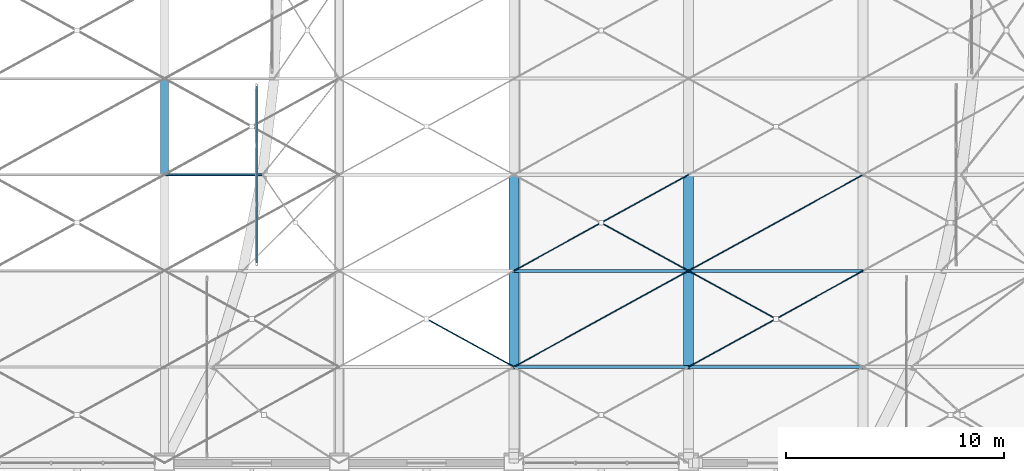
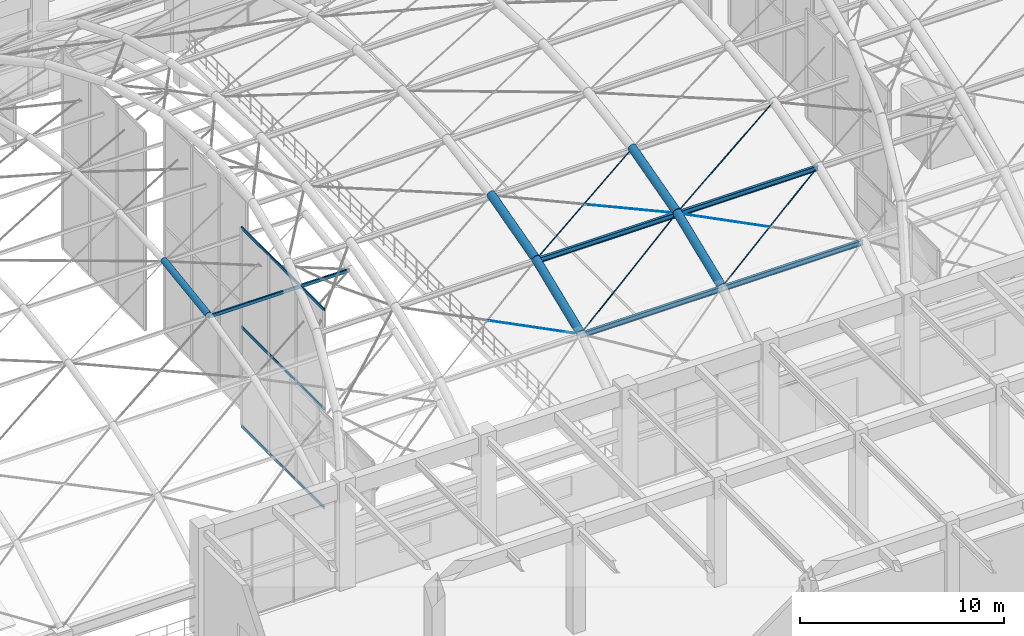
# One storey, part 23 of 163: 10 beams, 10 members, 1 element without a shape of its own.
"""IFC4 building model written with IfcOpenShell, lengths in metres."""

from ifc_helpers import new_model, si_unit, direction, frame, origin, origin_2d, place, context, subcontext, project, spatial, hollow_rectangle, circle, hollow_circle, i_section, extrude, material, material_profile, profile_set, type_object, element, aggregate, save


model = new_model("IFC4")

# Units and contexts
model_context = context("Model", 3, precision=1e-05, world=origin(), true_north=direction((0.0, 1.0)))
body_context = subcontext(model_context, "Body", "Model", "MODEL_VIEW")
ifc_project = project(units=[si_unit("LENGTHUNIT", "METRE"), si_unit("AREAUNIT", "SQUARE_METRE"), si_unit("VOLUMEUNIT", "CUBIC_METRE"), si_unit("PLANEANGLEUNIT", "RADIAN"), si_unit("MASSUNIT", "GRAM", prefix="KILO")], contexts=[model_context])

# Site, building, storey
site_placement = place(None, origin())
site = spatial("IfcSite", under=ifc_project, at=site_placement, CompositionType="ELEMENT")
building_placement = place(site_placement, origin())
building = spatial("IfcBuilding", under=site, at=building_placement, Name="Varnabhumi Central Station", CompositionType="ELEMENT")
storey_placement = place(building_placement, frame((0.0, 0.0, 9.60009765625)))
storey = spatial("IfcBuildingStorey", under=building, at=storey_placement, Name="L02", CompositionType="ELEMENT", Elevation=9.60009765625)

# Beams
ifc_material_1 = material(Name="Structural steel E350", Category="steel")
ifc_material_profile_1 = material_profile(ifc_material_1, hollow_circle(Radius=0.177734375, WallThickness=0.012451171875, at=origin_2d()), Name="Structural steel E350", Category="steel")
ifc_profile_set_1 = profile_set([ifc_material_profile_1], Name="Structural steel E350")
beam_type_1 = type_object("IfcBeamType", Name="BM-ARCH-CHS355", PredefinedType="BEAM", material=ifc_profile_set_1)
beam_1_placement = place(storey_placement, frame((40.0, 49.199951171875, 8.182373046875), z_axis=(0.0, 0.99037356126, 0.138420407303), x_axis=(-1.0, 0.0, 0.0)))
element("IfcBeam", 1, at=beam_1_placement, inside=storey, type_object=beam_type_1, Name="Entrance Portico Vault Arch Rib 4 Seg 4", PredefinedType="BEAM", context=body_context, shape_type="SweptSolid", body=[
    extrude(hollow_circle(Radius=0.177734375, WallThickness=0.012451171875, at=origin_2d()), origin(), (0.0, 0.0, 1.0), 4.44287109375),
])
ifc_material_2 = material(Name="Structural steel E450", Category="steel")
ifc_material_profile_2 = material_profile(ifc_material_2, hollow_circle(Radius=0.228515625, WallThickness=0.01611328125, at=origin_2d()), Name="Structural steel E450", Category="steel")
ifc_profile_set_2 = profile_set([ifc_material_profile_2], Name="Structural steel E450")
beam_type_2 = type_object("IfcBeamType", Name="BM-ARCH-CHS457", PredefinedType="BEAM", material=ifc_profile_set_2)
beam_2_placement = place(storey_placement, frame((56.0, 40.39990234375, 6.844970703125), z_axis=(0.0, 0.926804098242, 0.37554515505), x_axis=(-1.0, 0.0, 0.0)))
element("IfcBeam", 2, at=beam_2_placement, inside=storey, type_object=beam_type_2, Name="Ticket Hall Vault Arch Rib 3 Seg 2", PredefinedType="BEAM", context=body_context, shape_type="SweptSolid", body=[
    extrude(hollow_circle(Radius=0.228515625, WallThickness=0.01611328125, at=origin_2d()), origin(), (0.0, 0.0, 1.0), 4.74755859375),
])
beam_3_placement = place(storey_placement, frame((56.0, 44.800048828125, 8.6279296875), z_axis=(0.0, 0.965022848722, 0.262165789998), x_axis=(-1.0, 0.0, 0.0)))
element("IfcBeam", 3, at=beam_3_placement, inside=storey, type_object=beam_type_2, Name="Ticket Hall Vault Arch Rib 3 Seg 3", PredefinedType="BEAM", context=body_context, shape_type="SweptSolid", body=[
    extrude(hollow_circle(Radius=0.228515625, WallThickness=0.01611328125, at=origin_2d()), origin(), (0.0, 0.0, 1.0), 4.559326171875),
])
beam_4_placement = place(storey_placement, frame((64.0, 40.39990234375, 6.844970703125), z_axis=(0.0, 0.926804098242, 0.37554515505), x_axis=(-1.0, 0.0, 0.0)))
element("IfcBeam", 4, at=beam_4_placement, inside=storey, type_object=beam_type_2, Name="Ticket Hall Vault Arch Rib 4 Seg 2", PredefinedType="BEAM", context=body_context, shape_type="SweptSolid", body=[
    extrude(hollow_circle(Radius=0.228515625, WallThickness=0.01611328125, at=origin_2d()), origin(), (0.0, 0.0, 1.0), 4.74755859375),
])
beam_5_placement = place(storey_placement, frame((64.0, 44.800048828125, 8.6279296875), z_axis=(0.0, 0.965022848722, 0.262165789998), x_axis=(-1.0, 0.0, 0.0)))
element("IfcBeam", 5, at=beam_5_placement, inside=storey, type_object=beam_type_2, Name="Ticket Hall Vault Arch Rib 4 Seg 3", PredefinedType="BEAM", context=body_context, shape_type="SweptSolid", body=[
    extrude(hollow_circle(Radius=0.228515625, WallThickness=0.01611328125, at=origin_2d()), origin(), (0.0, 0.0, 1.0), 4.559326171875),
])
ifc_material_profile_3 = material_profile(ifc_material_1, i_section(OverallWidth=0.139892578125, OverallDepth=0.300048828125, WebThickness=0.0078125, FlangeThickness=0.01318359375, FilletRadius=0.013916015625, at=origin_2d()), Name="Structural steel E350", Category="steel")
ifc_profile_set_3 = profile_set([ifc_material_profile_3], Name="Structural steel E350")
beam_type_3 = type_object("IfcBeamType", Name="BM-PUR-ISMB300", PredefinedType="LINTEL", material=ifc_profile_set_3)
for number, where, z_axis, x_axis, name in (
    (6, (56.0, 40.39990234375, 6.695068359375), (1.0, 0.0, 0.0), (0.0, 1.0, 0.0), "Ticket Hall Vault Purlin B3-L1"),
    (7, (56.0, 44.800048828125, 8.477783203125), (1.0, 0.0, 0.0), (0.0, 1.0, 0.0), "Ticket Hall Vault Purlin B3-L2"),
    (8, (64.0, 40.39990234375, 6.695068359375), (1.0, 0.0, 0.0), (0.0, 1.0, 0.0), "Ticket Hall Vault Purlin B4-L1"),
    (9, (64.0, 44.800048828125, 8.477783203125), (1.0, 0.0, 0.0), (0.0, 1.0, 0.0), "Ticket Hall Vault Purlin B4-L2"),
):
    element("IfcBeam", number, at=place(storey_placement, frame(where, z_axis=z_axis, x_axis=x_axis)), inside=storey, type_object=beam_type_3, Name=name, PredefinedType="LINTEL", context=body_context, shape_type="SweptSolid", body=[
        extrude(i_section(OverallWidth=0.139892578125, OverallDepth=0.300048828125, WebThickness=0.0078125, FlangeThickness=0.01318359375, FilletRadius=0.013916015625, at=origin_2d()), origin(), (0.0, 0.0, 1.0), 8.0),
    ])
ifc_material_profile_4 = material_profile(ifc_material_1, hollow_rectangle(XDim=0.10009765625, YDim=0.199951171875, WallThickness=0.008056640625, InnerFilletRadius=0.008056640625, OuterFilletRadius=0.01611328125, at=origin_2d()), Name="Structural steel E350", Category="steel")
ifc_profile_set_4 = profile_set([ifc_material_profile_4], Name="Structural steel E350")
beam_type_4 = type_object("IfcBeamType", Name="BM-PUR-RHS200", PredefinedType="JOIST", material=ifc_profile_set_4)
beam_6_placement = place(storey_placement, frame((40.0, 49.199951171875, 8.082275390625), z_axis=(1.0, 0.0, 0.0), x_axis=(0.0, 1.0, 0.0)))
element("IfcBeam", 10, at=beam_6_placement, inside=storey, type_object=beam_type_4, Name="Entrance Portico Vault Purlin B4-L3", PredefinedType="JOIST", context=body_context, shape_type="SweptSolid", body=[
    extrude(hollow_rectangle(XDim=0.10009765625, YDim=0.199951171875, WallThickness=0.008056640625, InnerFilletRadius=0.008056640625, OuterFilletRadius=0.01611328125, at=origin_2d()), origin(), (0.0, 0.0, 1.0), 8.0),
])

# Curtain wall, members
ifc_material_3 = material(Name="Anodised aluminium 6063-T6", Category="aluminium")
curtain_wall_type = type_object("IfcCurtainWallType", Name="CW-VAULT-ARCH-V3", PredefinedType="NOTDEFINED", material=ifc_material_3)
curtain_wall_placement = place(storey_placement, origin())
curtain_wall = element("IfcCurtainWall", 11, at=curtain_wall_placement, inside=storey, type_object=curtain_wall_type, Name="Curtain Wall CW-V32", PredefinedType="NOTDEFINED")
ifc_material_profile_5 = material_profile(ifc_material_3, hollow_rectangle(XDim=0.06494140625, YDim=0.179931640625, WallThickness=0.00390625, InnerFilletRadius=0.001953125, OuterFilletRadius=0.006103515625, at=origin_2d()), Name="Anodised aluminium 6063-T6", Category="aluminium")
ifc_profile_set_5 = profile_set([ifc_material_profile_5], Name="Anodised aluminium 6063-T6")
member_type_1 = type_object("IfcMemberType", Name="CW-TR-180", PredefinedType="USERDEFINED", material=ifc_profile_set_5)
member_1_placement = place(storey_placement, frame((44.22412109375, 45.14990234375, -2.400146484375), z_axis=(0.0, 1.0, 0.0), x_axis=(-1.0, 0.0, 0.0)))
member_1 = element("IfcMember", 12, at=member_1_placement, type_object=member_type_1, Name="Curtain Wall Transom CW-V32-T1", ObjectType="TRANSOM", PredefinedType="USERDEFINED", context=body_context, shape_type="SweptSolid", body=[
    extrude(hollow_rectangle(XDim=0.06494140625, YDim=0.179931640625, WallThickness=0.00390625, InnerFilletRadius=0.001953125, OuterFilletRadius=0.006103515625, at=origin_2d()), origin(), (0.0, 0.0, 1.0), 8.10009765625),
])
member_2_placement = place(storey_placement, frame((44.22412109375, 45.14990234375, 3.53662109375), z_axis=(0.0, 1.0, 0.0), x_axis=(-1.0, 0.0, 0.0)))
member_2 = element("IfcMember", 13, at=member_2_placement, type_object=member_type_1, Name="Curtain Wall Transom CW-V32-T2", ObjectType="TRANSOM", PredefinedType="USERDEFINED", context=body_context, shape_type="SweptSolid", body=[
    extrude(hollow_rectangle(XDim=0.06494140625, YDim=0.179931640625, WallThickness=0.00390625, InnerFilletRadius=0.001953125, OuterFilletRadius=0.006103515625, at=origin_2d()), origin(), (0.0, 0.0, 1.0), 8.10009765625),
])
member_3_placement = place(storey_placement, frame((44.22412109375, 45.14990234375, 9.473388671875), z_axis=(0.0, 1.0, 0.0), x_axis=(-1.0, 0.0, 0.0)))
member_3 = element("IfcMember", 14, at=member_3_placement, type_object=member_type_1, Name="Curtain Wall Transom CW-V32-T3", ObjectType="TRANSOM", PredefinedType="USERDEFINED", context=body_context, shape_type="SweptSolid", body=[
    extrude(hollow_rectangle(XDim=0.06494140625, YDim=0.179931640625, WallThickness=0.00390625, InnerFilletRadius=0.001953125, OuterFilletRadius=0.006103515625, at=origin_2d()), origin(), (0.0, 0.0, 1.0), 8.10009765625),
])
aggregate(curtain_wall, [member_1, member_2, member_3])

# Members
ifc_material_4 = material(Name="Spiral-strand steel S1570", Category="steel")
ifc_material_profile_6 = material_profile(ifc_material_4, circle(Radius=0.02099609375, at=origin_2d()), Name="Spiral-strand steel S1570", Category="steel")
ifc_profile_set_6 = profile_set([ifc_material_profile_6], Name="Spiral-strand steel S1570")
member_type_2 = type_object("IfcMemberType", Name="MBR-CABLE-D42", PredefinedType="USERDEFINED", material=ifc_profile_set_6)
member_4_placement = place(storey_placement, frame((52.0, 42.60009765625, 7.656494140625), z_axis=(0.859950363032, -0.473014689432, -0.191683271838), x_axis=(0.481951596342, 0.876197842262, 0.0)))
element("IfcMember", 15, at=member_4_placement, inside=storey, type_object=member_type_2, Name="Ticket Hall Vault Cable-Net Split Tie B2-P2B2", ObjectType="TENSION CABLE", PredefinedType="USERDEFINED", context=body_context, shape_type="SweptSolid", body=[
    extrude(circle(Radius=0.02099609375, at=origin_2d()), origin(), (0.0, 0.0, 1.0), 4.6513671875),
])
member_5_placement = place(storey_placement, frame((56.0, 40.39990234375, 6.764892578125), z_axis=(0.859965363866, 0.472996696562, 0.19166037147), x_axis=(-0.481931067474, 0.876209133828, 0.0)))
element("IfcMember", 16, at=member_5_placement, inside=storey, type_object=member_type_2, Name="Ticket Hall Vault Cable-Net Tie B3-P2A", ObjectType="TENSION CABLE", PredefinedType="USERDEFINED", context=body_context, shape_type="SweptSolid", body=[
    extrude(circle(Radius=0.02099609375, at=origin_2d()), origin(), (0.0, 0.0, 1.0), 9.302734375),
])
member_6_placement = place(storey_placement, frame((56.0, 44.800048828125, 8.5478515625), z_axis=(0.868803417008, 0.477831273844, 0.129837961825), x_axis=(-0.481910537812, 0.876220425204, 0.0)))
element("IfcMember", 17, at=member_6_placement, inside=storey, type_object=member_type_2, Name="Ticket Hall Vault Cable-Net Tie B3-P3A", ObjectType="TENSION CABLE", PredefinedType="USERDEFINED", context=body_context, shape_type="SweptSolid", body=[
    extrude(circle(Radius=0.02099609375, at=origin_2d()), origin(), (0.0, 0.0, 1.0), 9.2080078125),
])
member_7_placement = place(storey_placement, frame((60.0, 47.0, 9.1455078125), z_axis=(0.86880640757, -0.477832918616, -0.129811894881), x_axis=(0.481910537812, 0.876220425204, 0.0)))
element("IfcMember", 18, at=member_7_placement, inside=storey, type_object=member_type_2, Name="Ticket Hall Vault Cable-Net Split Tie B3-P3B2", ObjectType="TENSION CABLE", PredefinedType="USERDEFINED", context=body_context, shape_type="SweptSolid", body=[
    extrude(circle(Radius=0.02099609375, at=origin_2d()), origin(), (0.0, 0.0, 1.0), 4.60400390625),
])
member_8_placement = place(storey_placement, frame((64.0, 40.39990234375, 6.764892578125), z_axis=(0.859965363866, 0.472996696562, 0.19166037147), x_axis=(-0.481931067474, 0.876209133828, 0.0)))
element("IfcMember", 19, at=member_8_placement, inside=storey, type_object=member_type_2, Name="Ticket Hall Vault Cable-Net Tie B4-P2A", ObjectType="TENSION CABLE", PredefinedType="USERDEFINED", context=body_context, shape_type="SweptSolid", body=[
    extrude(circle(Radius=0.02099609375, at=origin_2d()), origin(), (0.0, 0.0, 1.0), 9.302734375),
])
member_9_placement = place(storey_placement, frame((64.0, 44.800048828125, 8.5478515625), z_axis=(0.8599803643, -0.472978702558, -0.191637470096), x_axis=(0.481910537812, 0.876220425204, 0.0)))
element("IfcMember", 20, at=member_9_placement, inside=storey, type_object=member_type_2, Name="Ticket Hall Vault Cable-Net Split Tie B4-P2B1", ObjectType="TENSION CABLE", PredefinedType="USERDEFINED", context=body_context, shape_type="SweptSolid", body=[
    extrude(circle(Radius=0.02099609375, at=origin_2d()), origin(), (0.0, 0.0, 1.0), 4.6513671875),
])
member_10_placement = place(storey_placement, frame((64.0, 44.800048828125, 8.5478515625), z_axis=(0.868803417008, 0.477831273844, 0.129837961825), x_axis=(-0.481910537812, 0.876220425204, 0.0)))
element("IfcMember", 21, at=member_10_placement, inside=storey, type_object=member_type_2, Name="Ticket Hall Vault Cable-Net Tie B4-P3A", ObjectType="TENSION CABLE", PredefinedType="USERDEFINED", context=body_context, shape_type="SweptSolid", body=[
    extrude(circle(Radius=0.02099609375, at=origin_2d()), origin(), (0.0, 0.0, 1.0), 9.2080078125),
])

save(model, "model.ifc")
